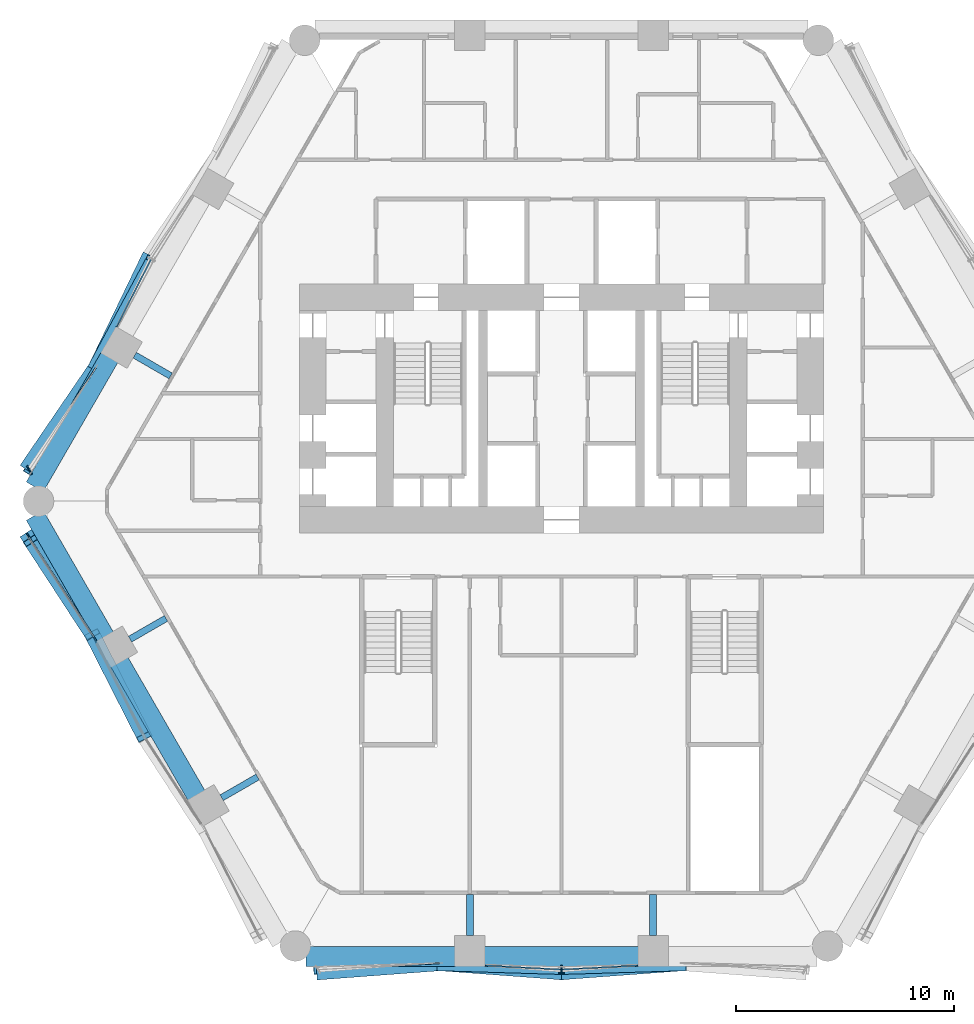
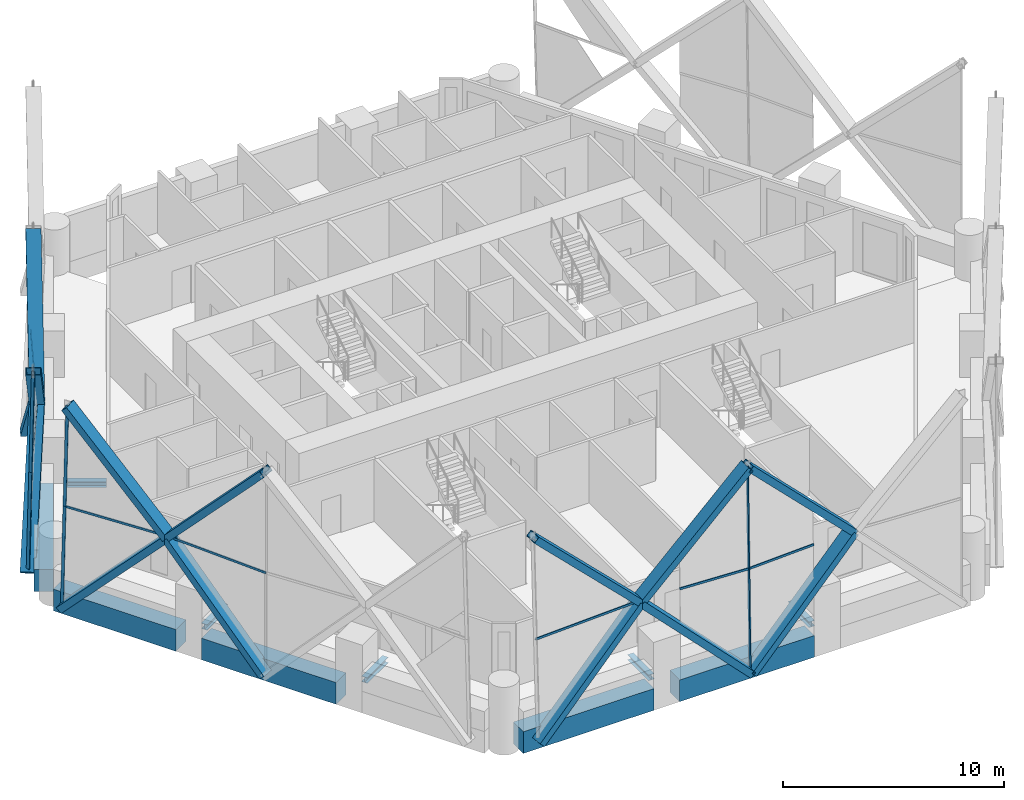
# One storey, part 4 of 22: 27 members, 10 beams, 6 elements without a shape of their own.
"""IFC4 building model written with IfcOpenShell, lengths in metres."""

from ifc_helpers import new_model, si_unit, direction, frame, origin, origin_2d, place, context, subcontext, project, spatial, rectangle, hollow_rectangle, i_section, extrude, material, material_profile, profile_set, type_object, element, aggregate, save


model = new_model("IFC4")

# Units and contexts
model_context = context("Model", 3, precision=1e-05, world=origin(), true_north=direction((0.0, 1.0)))
body_context = subcontext(model_context, "Body", "Model", "MODEL_VIEW")
ifc_project = project(units=[si_unit("LENGTHUNIT", "METRE"), si_unit("AREAUNIT", "SQUARE_METRE"), si_unit("VOLUMEUNIT", "CUBIC_METRE"), si_unit("PLANEANGLEUNIT", "RADIAN"), si_unit("MASSUNIT", "GRAM", prefix="KILO")], contexts=[model_context])

# Site, building, storey
site_placement = place(None, origin())
site = spatial("IfcSite", under=ifc_project, at=site_placement, CompositionType="ELEMENT")
building_placement = place(site_placement, origin())
building = spatial("IfcBuilding", under=site, at=building_placement, Name="Ostrander Bayou Hotel Tower", CompositionType="ELEMENT")
storey_placement = place(building_placement, frame((0.0, 0.0, 46.75)))
storey = spatial("IfcBuildingStorey", under=building, at=storey_placement, Name="L11", CompositionType="ELEMENT", Elevation=46.75)

# Curtain wall, members
ifc_material_1 = material(Name="Aluminium and clear glass", Category="aluminium")
curtain_wall_type = type_object("IfcCurtainWallType", Name="CW-LAT lattice glazing", PredefinedType="NOTDEFINED", material=ifc_material_1)
curtain_wall_1_placement = place(storey_placement, origin())
curtain_wall_1 = element("IfcCurtainWall", 1, at=curtain_wall_1_placement, inside=storey, type_object=curtain_wall_type, Name="CW-LAT L11 NW 1", PredefinedType="NOTDEFINED")
ifc_material_2 = material(Name="Aluminium", Category="aluminium")
ifc_material_profile_1 = material_profile(ifc_material_2, hollow_rectangle(XDim=0.06005859375, YDim=0.159912109375, WallThickness=0.00390625, at=origin_2d()))
ifc_profile_set_1 = profile_set([ifc_material_profile_1], Name="Aluminium")
member_type_1 = type_object("IfcMemberType", Name="CW-LA mullion 60 x 160 mm", PredefinedType="MULLION", material=ifc_profile_set_1)
member_1_placement = place(storey_placement, frame((-24.44677734375, 1.305908203125, -0.60009765625), z_axis=(0.012582822759, -0.021781300087, 0.999683573706), x_axis=(0.865898279276, 0.500220121494, 0.0)))
member_1 = element("IfcMember", 2, at=member_1_placement, type_object=member_type_1, Name="CW-LAT mullion 8", PredefinedType="MULLION", context=body_context, shape_type="SweptSolid", body=[
    extrude(hollow_rectangle(XDim=0.06005859375, YDim=0.159912109375, WallThickness=0.00390625, at=origin_2d()), origin(), (0.0, 0.0, 1.0), 5.626708984375),
])
member_2_placement = place(storey_placement, frame((-24.3759765625, 1.183349609375, 5.02490234375), z_axis=(0.012626192954, -0.021824656549, 0.999682081273), x_axis=(0.865583332221, 0.500764909893, 0.0)))
member_2 = element("IfcMember", 3, at=member_2_placement, type_object=member_type_1, Name="CW-LAT mullion 9", PredefinedType="MULLION", context=body_context, shape_type="SweptSolid", body=[
    extrude(hollow_rectangle(XDim=0.06005859375, YDim=0.159912109375, WallThickness=0.00390625, at=origin_2d()), origin(), (0.0, 0.0, 1.0), 5.626708984375),
])
aggregate(curtain_wall_1, [member_1, member_2])

curtain_wall_2_placement = place(storey_placement, origin())
curtain_wall_2 = element("IfcCurtainWall", 4, at=curtain_wall_2_placement, inside=storey, type_object=curtain_wall_type, Name="CW-LAT L11 SW 1", PredefinedType="NOTDEFINED")
member_3_placement = place(storey_placement, frame((-24.44677734375, -1.797119140625, -0.60009765625), z_axis=(0.012582822759, -0.021781300087, 0.999683573706), x_axis=(0.865898279276, 0.500220121494, 0.0)))
member_3 = element("IfcMember", 5, at=member_3_placement, type_object=member_type_1, Name="CW-LAT mullion 1", PredefinedType="MULLION", context=body_context, shape_type="SweptSolid", body=[
    extrude(hollow_rectangle(XDim=0.06005859375, YDim=0.159912109375, WallThickness=0.00390625, at=origin_2d()), origin(), (0.0, 0.0, 1.0), 5.626708984375),
])
member_4_placement = place(storey_placement, frame((-24.3759765625, -1.919677734375, 5.02490234375), z_axis=(0.012626192954, -0.021824656549, 0.999682081273), x_axis=(0.865583332221, 0.500764909893, 0.0)))
member_4 = element("IfcMember", 6, at=member_4_placement, type_object=member_type_1, Name="CW-LAT mullion 2", PredefinedType="MULLION", context=body_context, shape_type="SweptSolid", body=[
    extrude(hollow_rectangle(XDim=0.06005859375, YDim=0.159912109375, WallThickness=0.00390625, at=origin_2d()), origin(), (0.0, 0.0, 1.0), 5.626708984375),
])
aggregate(curtain_wall_2, [member_3, member_4])

curtain_wall_3_placement = place(storey_placement, origin())
curtain_wall_3 = element("IfcCurtainWall", 7, at=curtain_wall_3_placement, inside=storey, type_object=curtain_wall_type, Name="CW-LAT L11 S 1", PredefinedType="NOTDEFINED")
member_5_placement = place(storey_placement, frame((0.0, -21.824462890625, -0.60009765625), z_axis=(0.0, 0.02178302458, 0.99976272177), x_axis=(-1.0, 0.0, 0.0)))
member_5 = element("IfcMember", 8, at=member_5_placement, type_object=member_type_1, Name="CW-LAT mullion 4", PredefinedType="MULLION", context=body_context, shape_type="SweptSolid", body=[
    extrude(hollow_rectangle(XDim=0.06005859375, YDim=0.159912109375, WallThickness=0.00390625, at=origin_2d()), origin(), (0.0, 0.0, 1.0), 5.626220703125),
])
member_6_placement = place(storey_placement, frame((0.0, -21.701904296875, 5.02490234375), z_axis=(0.0, 0.021826396408, 0.999761775835), x_axis=(-1.0, 0.0, 0.0)))
member_6 = element("IfcMember", 9, at=member_6_placement, type_object=member_type_1, Name="CW-LAT mullion 5", PredefinedType="MULLION", context=body_context, shape_type="SweptSolid", body=[
    extrude(hollow_rectangle(XDim=0.06005859375, YDim=0.159912109375, WallThickness=0.00390625, at=origin_2d()), origin(), (0.0, 0.0, 1.0), 5.626220703125),
])
aggregate(curtain_wall_3, [member_5, member_6])

curtain_wall_4_placement = place(storey_placement, origin())
curtain_wall_4 = element("IfcCurtainWall", 10, at=curtain_wall_4_placement, inside=storey, type_object=curtain_wall_type, Name="CW-LAT L11 NW 2", PredefinedType="NOTDEFINED")
ifc_material_3 = material(Name="Aluminium", Category="aluminium")
ifc_material_profile_2 = material_profile(ifc_material_3, hollow_rectangle(XDim=0.06005859375, YDim=0.1201171875, WallThickness=0.00390625, at=origin_2d()))
ifc_profile_set_2 = profile_set([ifc_material_profile_2], Name="Aluminium")
member_type_2 = type_object("IfcMemberType", Name="CW-LA transom 60 x 120 mm", PredefinedType="USERDEFINED", material=ifc_profile_set_2)
member_7_placement = place(storey_placement, frame((-18.794189453125, 10.850830078125, 5.02490234375), z_axis=(-0.454341581159, -0.890827552128, 0.0), x_axis=(0.890827552128, -0.454341581159, 0.0)))
member_7 = element("IfcMember", 11, at=member_7_placement, type_object=member_type_2, Name="CW-LAT transom 7", ObjectType="TRANSOM", PredefinedType="USERDEFINED", context=body_context, shape_type="SweptSolid", body=[
    extrude(hollow_rectangle(XDim=0.06005859375, YDim=0.1201171875, WallThickness=0.00390625, at=origin_2d()), origin(), (0.0, 0.0, 1.0), 3.500244140625),
])
member_8_placement = place(storey_placement, frame((-24.3759765625, 1.183349609375, 5.02490234375), z_axis=(0.544355623565, 0.838854549426, 0.0), x_axis=(-0.838854549426, 0.544355623565, 0.0)))
member_8 = element("IfcMember", 12, at=member_8_placement, type_object=member_type_2, Name="CW-LAT transom 10", ObjectType="TRANSOM", PredefinedType="USERDEFINED", context=body_context, shape_type="SweptSolid", body=[
    extrude(hollow_rectangle(XDim=0.06005859375, YDim=0.1201171875, WallThickness=0.00390625, at=origin_2d()), origin(), (0.0, 0.0, 1.0), 5.589111328125),
])
aggregate(curtain_wall_4, [member_7, member_8])

curtain_wall_5_placement = place(storey_placement, origin())
curtain_wall_5 = element("IfcCurtainWall", 13, at=curtain_wall_5_placement, inside=storey, type_object=curtain_wall_type, Name="CW-LAT L11 SW 2", PredefinedType="NOTDEFINED")
member_9_placement = place(storey_placement, frame((-24.3759765625, -1.919677734375, 5.02490234375), z_axis=(0.545221203934, -0.838292215627, 0.0), x_axis=(0.838292215627, 0.545221203934, 0.0)))
member_9 = element("IfcMember", 14, at=member_9_placement, type_object=member_type_2, Name="CW-LAT transom 3", ObjectType="TRANSOM", PredefinedType="USERDEFINED", context=body_context, shape_type="SweptSolid", body=[
    extrude(hollow_rectangle(XDim=0.06005859375, YDim=0.1201171875, WallThickness=0.00390625, at=origin_2d()), origin(), (0.0, 0.0, 1.0), 5.637939453125),
])
member_10_placement = place(storey_placement, frame((-19.11328125, -11.034912109375, 5.02490234375), z_axis=(-0.453355230913, 0.891329924665, 0.0), x_axis=(-0.891329924665, -0.453355230913, 0.0)))
member_10 = element("IfcMember", 15, at=member_10_placement, type_object=member_type_2, Name="CW-LAT transom 6", ObjectType="TRANSOM", PredefinedType="USERDEFINED", context=body_context, shape_type="SweptSolid", body=[
    extrude(hollow_rectangle(XDim=0.06005859375, YDim=0.1201171875, WallThickness=0.00390625, at=origin_2d()), origin(), (0.0, 0.0, 1.0), 5.27001953125),
])
aggregate(curtain_wall_5, [member_9, member_10])

curtain_wall_6_placement = place(storey_placement, origin())
curtain_wall_6 = element("IfcCurtainWall", 16, at=curtain_wall_6_placement, inside=storey, type_object=curtain_wall_type, Name="CW-LAT L11 S 2", PredefinedType="NOTDEFINED")
member_11_placement = place(storey_placement, frame((-11.1630859375, -21.701904296875, 5.02490234375), z_axis=(0.998645801876, 0.05202463258, 0.0), x_axis=(-0.05202463258, 0.998645801876, 0.0)))
member_11 = element("IfcMember", 17, at=member_11_placement, type_object=member_type_2, Name="CW-LAT transom 3", ObjectType="TRANSOM", PredefinedType="USERDEFINED", context=body_context, shape_type="SweptSolid", body=[
    extrude(hollow_rectangle(XDim=0.06005859375, YDim=0.1201171875, WallThickness=0.00390625, at=origin_2d()), origin(), (0.0, 0.0, 1.0), 5.589111328125),
])
member_12_placement = place(storey_placement, frame((0.0, -21.701904296875, 5.02490234375), z_axis=(-0.99864524623, 0.052035297457, 0.0), x_axis=(-0.052035297457, -0.99864524623, 0.0)))
member_12 = element("IfcMember", 18, at=member_12_placement, type_object=member_type_2, Name="CW-LAT transom 6", ObjectType="TRANSOM", PredefinedType="USERDEFINED", context=body_context, shape_type="SweptSolid", body=[
    extrude(hollow_rectangle(XDim=0.06005859375, YDim=0.1201171875, WallThickness=0.00390625, at=origin_2d()), origin(), (0.0, 0.0, 1.0), 3.5),
])
member_13_placement = place(storey_placement, frame((0.0, -21.701904296875, 5.02490234375), z_axis=(0.99864524623, 0.052035297457, 0.0), x_axis=(-0.052035297457, 0.99864524623, 0.0)))
member_13 = element("IfcMember", 19, at=member_13_placement, type_object=member_type_2, Name="CW-LAT transom 7", ObjectType="TRANSOM", PredefinedType="USERDEFINED", context=body_context, shape_type="SweptSolid", body=[
    extrude(hollow_rectangle(XDim=0.06005859375, YDim=0.1201171875, WallThickness=0.00390625, at=origin_2d()), origin(), (0.0, 0.0, 1.0), 3.5),
])
aggregate(curtain_wall_6, [member_11, member_12, member_13])

# Beams
ifc_material_4 = material(Name="Steel ASTM A992", Category="steel")
ifc_material_profile_3 = material_profile(ifc_material_4, i_section(OverallWidth=0.3046875, OverallDepth=0.307861328125, WebThickness=0.010009765625, FlangeThickness=0.015380859375, at=origin_2d()))
ifc_profile_set_3 = profile_set([ifc_material_profile_3], Name="Steel ASTM A992")
beam_type_1 = type_object("IfcBeamType", Name="LB1 loggia bracket W12x65", PredefinedType="BEAM", material=ifc_profile_set_3)
for number, where, z_axis, x_axis, name in (
    (20, (-19.552001953125, 6.44384765625, -0.453857421875), (0.866044365799, -0.499967155389, 0.0), (0.499967155389, 0.866044365799, 0.0), "LB1 L11 NW2"),
    (21, (-19.7646484375, -6.566650390625, -0.453857421875), (0.866044365799, 0.499967155389, 0.0), (-0.499967155389, 0.866044365799, 0.0), "LB1 L11 SW1"),
):
    element("IfcBeam", number, at=place(storey_placement, frame(where, z_axis=z_axis, x_axis=x_axis)), inside=storey, type_object=beam_type_1, Name=name, PredefinedType="BEAM", context=body_context, shape_type="SweptSolid", body=[
        extrude(i_section(OverallWidth=0.3046875, OverallDepth=0.307861328125, WebThickness=0.010009765625, FlangeThickness=0.015380859375, at=origin_2d()), origin(), (0.0, 0.0, 1.0), 1.900146484375),
    ])
beam_1_placement = place(storey_placement, frame((-15.569091796875, -13.833251953125, -0.453857421875), z_axis=(0.86601224135, 0.500022797313, 0.0), x_axis=(-0.500022797313, 0.86601224135, 0.0)))
element("IfcBeam", 22, at=beam_1_placement, inside=storey, type_object=beam_type_1, Name="LB1 L11 SW2", PredefinedType="BEAM", context=body_context, shape_type="SweptSolid", body=[
    extrude(i_section(OverallWidth=0.3046875, OverallDepth=0.307861328125, WebThickness=0.010009765625, FlangeThickness=0.015380859375, at=origin_2d()), origin(), (0.0, 0.0, 1.0), 1.89990234375),
])
for number, where, z_axis, x_axis, name in (
    (23, (-4.1953125, -20.154541015625, -0.453857421875), (0.0, 1.0, 0.0), (-1.0, 0.0, 0.0), "LB1 L11 S1"),
    (24, (4.1953125, -20.154541015625, -0.453857421875), (0.0, 1.0, 0.0), (-1.0, 0.0, 0.0), "LB1 L11 S2"),
):
    element("IfcBeam", number, at=place(storey_placement, frame(where, z_axis=z_axis, x_axis=x_axis)), inside=storey, type_object=beam_type_1, Name=name, PredefinedType="BEAM", context=body_context, shape_type="SweptSolid", body=[
        extrude(i_section(OverallWidth=0.3046875, OverallDepth=0.307861328125, WebThickness=0.010009765625, FlangeThickness=0.015380859375, at=origin_2d()), origin(), (0.0, 0.0, 1.0), 1.900146484375),
    ])

# Members
ifc_material_5 = material(Name="Steel ASTM A572 Gr 50", Category="steel")
ifc_material_profile_4 = material_profile(ifc_material_5, hollow_rectangle(XDim=0.699951171875, YDim=0.35009765625, WallThickness=0.02490234375, at=origin_2d()))
ifc_profile_set_4 = profile_set([ifc_material_profile_4], Name="Steel ASTM A572 Gr 50")
member_type_3 = type_object("IfcMemberType", Name="LT1 lattice member box 700 x 350 x 25 mm", PredefinedType="BRACE", material=ifc_profile_set_4)
member_14_placement = place(storey_placement, frame((-21.33349609375, 5.871826171875, 5.02490234375), z_axis=(0.306593594967, 0.635216393545, -0.708872697243), x_axis=(-0.900586378363, 0.434677092918, 0.0)))
element("IfcMember", 25, at=member_14_placement, inside=storey, type_object=member_type_3, Name="LT1 L11 NW 5", PredefinedType="BRACE", context=body_context, shape_type="SweptSolid", body=[
    extrude(hollow_rectangle(XDim=0.699951171875, YDim=0.35009765625, WallThickness=0.02490234375, at=origin_2d()), origin(), (0.0, 0.0, 1.0), 7.93505859375),
])
member_15_placement = place(storey_placement, frame((-21.33349609375, 5.871826171875, 5.02490234375), z_axis=(0.333770920322, 0.620445519384, 0.709679033243), x_axis=(-0.880657745345, 0.473753032247, 0.0)))
element("IfcMember", 26, at=member_15_placement, inside=storey, type_object=member_type_3, Name="LT1 L11 NW 6", PredefinedType="BRACE", context=body_context, shape_type="SweptSolid", body=[
    extrude(hollow_rectangle(XDim=0.699951171875, YDim=0.35009765625, WallThickness=0.02490234375, at=origin_2d()), origin(), (0.0, 0.0, 1.0), 7.926025390625),
])
member_16_placement = place(storey_placement, frame((-21.33349609375, 5.871826171875, 5.02490234375), z_axis=(-0.394812024283, -0.579028738876, -0.713336656171), x_axis=(0.826214257465, -0.563356015998, 0.0)))
element("IfcMember", 27, at=member_16_placement, inside=storey, type_object=member_type_3, Name="LT1 L11 NW 7", PredefinedType="BRACE", context=body_context, shape_type="SweptSolid", body=[
    extrude(hollow_rectangle(XDim=0.699951171875, YDim=0.35009765625, WallThickness=0.02490234375, at=origin_2d()), origin(), (0.0, 0.0, 1.0), 7.885498046875),
])
member_17_placement = place(storey_placement, frame((-21.33349609375, 5.871826171875, 5.02490234375), z_axis=(-0.372541560407, -0.603210626156, 0.705230264709), x_axis=(0.850816731393, -0.52546254822, 0.0)))
element("IfcMember", 28, at=member_17_placement, inside=storey, type_object=member_type_3, Name="LT1 L11 NW 8", PredefinedType="BRACE", context=body_context, shape_type="SweptSolid", body=[
    extrude(hollow_rectangle(XDim=0.699951171875, YDim=0.35009765625, WallThickness=0.02490234375, at=origin_2d()), origin(), (0.0, 0.0, 1.0), 7.97607421875),
])
member_18_placement = place(storey_placement, frame((-21.50244140625, -6.337646484375, 5.02490234375), z_axis=(-0.377212062114, 0.581707291144, -0.720643939561), x_axis=(-0.839034761093, -0.544077815829, 0.0)))
element("IfcMember", 29, at=member_18_placement, inside=storey, type_object=member_type_3, Name="LT1 L11 SW 1", PredefinedType="BRACE", context=body_context, shape_type="SweptSolid", body=[
    extrude(hollow_rectangle(XDim=0.699951171875, YDim=0.35009765625, WallThickness=0.02490234375, at=origin_2d()), origin(), (0.0, 0.0, 1.0), 7.805419921875),
])
member_19_placement = place(storey_placement, frame((-21.50244140625, -6.337646484375, 5.02490234375), z_axis=(-0.368165861666, 0.564260127563, 0.73896170858), x_axis=(-0.837495040838, -0.546444925469, 0.0)))
element("IfcMember", 30, at=member_19_placement, inside=storey, type_object=member_type_3, Name="LT1 L11 SW 2", PredefinedType="BRACE", context=body_context, shape_type="SweptSolid", body=[
    extrude(hollow_rectangle(XDim=0.699951171875, YDim=0.35009765625, WallThickness=0.02490234375, at=origin_2d()), origin(), (0.0, 0.0, 1.0), 7.612060546875),
])
for number, where, z_axis, x_axis, name in (
    (31, (-21.50244140625, -6.337646484375, 5.02490234375), (0.309959152904, -0.609402626393, -0.729762812479), (0.891329924665, 0.453355230913, 0.0), "LT1 L11 SW 3"),
    (32, (-21.50244140625, -6.337646484375, 5.02490234375), (0.309959152904, -0.609402626393, 0.729762812479), (0.891329924665, 0.453355230913, 0.0), "LT1 L11 SW 4"),
):
    element("IfcMember", number, at=place(storey_placement, frame(where, z_axis=z_axis, x_axis=x_axis)), inside=storey, type_object=member_type_3, Name=name, PredefinedType="BRACE", context=body_context, shape_type="SweptSolid", body=[
        extrude(hollow_rectangle(XDim=0.699951171875, YDim=0.35009765625, WallThickness=0.02490234375, at=origin_2d()), origin(), (0.0, 0.0, 1.0), 7.7080078125),
    ])
member_20_placement = place(storey_placement, frame((-5.58154296875, -21.4111328125, 5.02490234375), z_axis=(-0.698852657643, -0.052417045428, -0.713342425665), x_axis=(0.074794341388, -0.997198980393, 0.0)))
element("IfcMember", 33, at=member_20_placement, inside=storey, type_object=member_type_3, Name="LT1 L11 S 1", PredefinedType="BRACE", context=body_context, shape_type="SweptSolid", body=[
    extrude(hollow_rectangle(XDim=0.699951171875, YDim=0.35009765625, WallThickness=0.02490234375, at=origin_2d()), origin(), (0.0, 0.0, 1.0), 7.885498046875),
])
member_21_placement = place(storey_placement, frame((-5.58154296875, -21.4111328125, 5.02490234375), z_axis=(-0.708662000278, -0.021059064279, 0.705233780511), x_axis=(0.029703542747, -0.999558752424, 0.0)))
element("IfcMember", 34, at=member_21_placement, inside=storey, type_object=member_type_3, Name="LT1 L11 S 2", PredefinedType="BRACE", context=body_context, shape_type="SweptSolid", body=[
    extrude(hollow_rectangle(XDim=0.699951171875, YDim=0.35009765625, WallThickness=0.02490234375, at=origin_2d()), origin(), (0.0, 0.0, 1.0), 7.97607421875),
])
member_22_placement = place(storey_placement, frame((-5.58154296875, -21.4111328125, 5.02490234375), z_axis=(0.703403237402, -0.0520891296, -0.708879826338), x_axis=(0.073850797282, 0.997269301513, 0.0)))
element("IfcMember", 35, at=member_22_placement, inside=storey, type_object=member_type_3, Name="LT1 L11 S 3", PredefinedType="BRACE", context=body_context, shape_type="SweptSolid", body=[
    extrude(hollow_rectangle(XDim=0.699951171875, YDim=0.35009765625, WallThickness=0.02490234375, at=origin_2d()), origin(), (0.0, 0.0, 1.0), 7.93505859375),
])
member_23_placement = place(storey_placement, frame((-5.58154296875, -21.4111328125, 5.02490234375), z_axis=(0.704201266446, -0.02119195483, 0.709684068713), x_axis=(0.030079987596, 0.999547494793, 0.0)))
element("IfcMember", 36, at=member_23_placement, inside=storey, type_object=member_type_3, Name="LT1 L11 S 4", PredefinedType="BRACE", context=body_context, shape_type="SweptSolid", body=[
    extrude(hollow_rectangle(XDim=0.699951171875, YDim=0.35009765625, WallThickness=0.02490234375, at=origin_2d()), origin(), (0.0, 0.0, 1.0), 7.926025390625),
])
member_24_placement = place(storey_placement, frame((5.58154296875, -21.4111328125, 5.02490234375), z_axis=(-0.703403237402, -0.0520891296, -0.708879826338), x_axis=(0.073850797282, -0.997269301513, 0.0)))
element("IfcMember", 37, at=member_24_placement, inside=storey, type_object=member_type_3, Name="LT1 L11 S 5", PredefinedType="BRACE", context=body_context, shape_type="SweptSolid", body=[
    extrude(hollow_rectangle(XDim=0.699951171875, YDim=0.35009765625, WallThickness=0.02490234375, at=origin_2d()), origin(), (0.0, 0.0, 1.0), 7.93505859375),
])
member_25_placement = place(storey_placement, frame((5.58154296875, -21.4111328125, 5.02490234375), z_axis=(-0.704201266446, -0.02119195483, 0.709684068713), x_axis=(0.030079987596, -0.999547494793, 0.0)))
element("IfcMember", 38, at=member_25_placement, inside=storey, type_object=member_type_3, Name="LT1 L11 S 6", PredefinedType="BRACE", context=body_context, shape_type="SweptSolid", body=[
    extrude(hollow_rectangle(XDim=0.699951171875, YDim=0.35009765625, WallThickness=0.02490234375, at=origin_2d()), origin(), (0.0, 0.0, 1.0), 7.926025390625),
])

# Beams
ifc_material_6 = material(Name="Concrete f'c 70 MPa", Category="concrete")
ifc_material_profile_5 = material_profile(ifc_material_6, rectangle(XDim=0.89990234375, YDim=1.199951171875, at=origin_2d()))
ifc_profile_set_5 = profile_set([ifc_material_profile_5], Name="Concrete f'c 70 MPa")
beam_type_2 = type_object("IfcBeamType", Name="SP1 spandrel beam 900 x 1200 mm f'c 70 MPa", PredefinedType="SPANDREL", material=ifc_profile_set_5)
beam_2_placement = place(storey_placement, frame((-20.709716796875, 6.338623046875, -0.60009765625), z_axis=(-0.499994135611, -0.866028789565, 0.0), x_axis=(0.866028789565, -0.499994135611, 0.0)))
element("IfcBeam", 39, at=beam_2_placement, inside=storey, type_object=beam_type_2, Name="SP1 L11 NW-3", PredefinedType="SPANDREL", context=body_context, shape_type="SweptSolid", body=[
    extrude(rectangle(XDim=0.89990234375, YDim=1.199951171875, at=origin_2d()), origin(), (0.0, 0.0, 1.0), 6.84521484375),
])
beam_3_placement = place(storey_placement, frame((-24.13232421875, -0.9013671875, -0.60009765625), z_axis=(0.499983599745, -0.866034872269, 0.0), x_axis=(0.866034872269, 0.499983599745, 0.0)))
element("IfcBeam", 40, at=beam_3_placement, inside=storey, type_object=beam_type_2, Name="SP1 L11 SW-1", PredefinedType="SPANDREL", context=body_context, shape_type="SweptSolid", body=[
    extrude(rectangle(XDim=0.89990234375, YDim=1.199951171875, at=origin_2d()), origin(), (0.0, 0.0, 1.0), 6.420166015625),
])
beam_4_placement = place(storey_placement, frame((-20.252197265625, -7.621826171875, -0.60009765625), z_axis=(0.499997206141, -0.866027016814, 0.0), x_axis=(0.866027016814, 0.499997206141, 0.0)))
element("IfcBeam", 41, at=beam_4_placement, inside=storey, type_object=beam_type_2, Name="SP1 L11 SW-2", PredefinedType="SPANDREL", context=body_context, shape_type="SweptSolid", body=[
    extrude(rectangle(XDim=0.89990234375, YDim=1.199951171875, at=origin_2d()), origin(), (0.0, 0.0, 1.0), 7.05078125),
])
beam_5_placement = place(storey_placement, frame((-11.710693359375, -21.1044921875, -0.60009765625), z_axis=(1.0, 0.0, 0.0), x_axis=(0.0, 1.0, 0.0)))
element("IfcBeam", 42, at=beam_5_placement, inside=storey, type_object=beam_type_2, Name="SP1 L11 S-1", PredefinedType="SPANDREL", context=body_context, shape_type="SweptSolid", body=[
    extrude(rectangle(XDim=0.89990234375, YDim=1.199951171875, at=origin_2d()), origin(), (0.0, 0.0, 1.0), 6.84521484375),
])
beam_6_placement = place(storey_placement, frame((-3.525390625, -21.1044921875, -0.60009765625), z_axis=(1.0, 0.0, 0.0), x_axis=(0.0, 1.0, 0.0)))
element("IfcBeam", 43, at=beam_6_placement, inside=storey, type_object=beam_type_2, Name="SP1 L11 S-2", PredefinedType="SPANDREL", context=body_context, shape_type="SweptSolid", body=[
    extrude(rectangle(XDim=0.89990234375, YDim=1.199951171875, at=origin_2d()), origin(), (0.0, 0.0, 1.0), 7.05078125),
])

save(model, "model.ifc")
